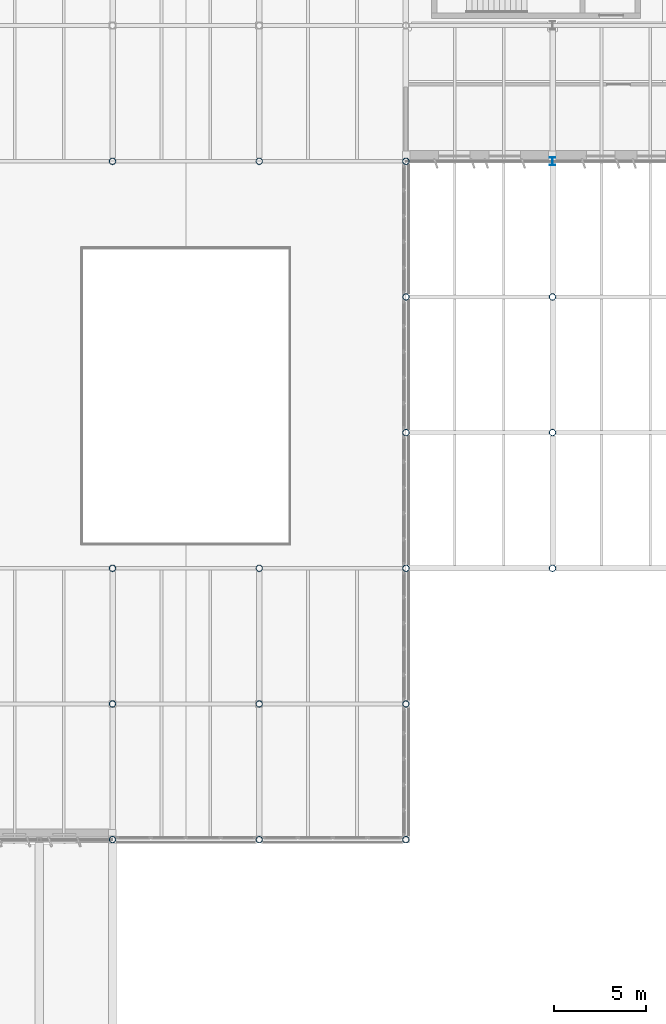
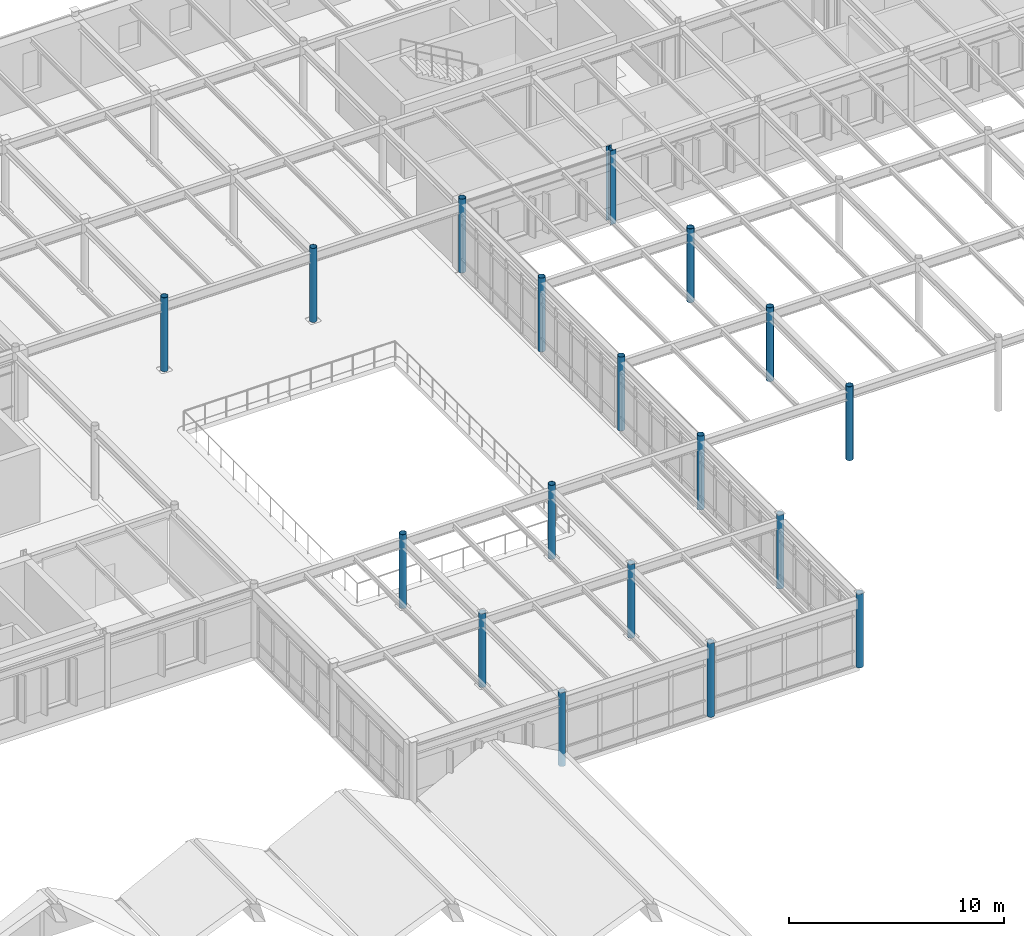
# One storey, part 4 of 63: 18 columns.
"""IFC4 building model written with IfcOpenShell, lengths in metres."""

from ifc_helpers import new_model, si_unit, direction, frame, origin, origin_2d, place, context, subcontext, project, spatial, hollow_circle, i_section, extrude, material, material_profile, profile_set, type_object, element, save


model = new_model("IFC4")

# Units and contexts
model_context = context("Model", 3, precision=1e-05, world=origin(), true_north=direction((0.0, 1.0)))
body_context = subcontext(model_context, "Body", "Model", "MODEL_VIEW")
ifc_project = project(units=[si_unit("LENGTHUNIT", "METRE"), si_unit("AREAUNIT", "SQUARE_METRE"), si_unit("VOLUMEUNIT", "CUBIC_METRE"), si_unit("PLANEANGLEUNIT", "RADIAN"), si_unit("MASSUNIT", "GRAM", prefix="KILO")], contexts=[model_context])

# Site, building, storey
site_placement = place(None, origin())
site = spatial("IfcSite", under=ifc_project, at=site_placement, CompositionType="ELEMENT")
building_placement = place(site_placement, origin())
building = spatial("IfcBuilding", under=site, at=building_placement, Name="Valkorina Park Police Headquarters", CompositionType="ELEMENT")
storey_placement = place(building_placement, frame((0.0, 0.0, 9.89990234375)))
storey = spatial("IfcBuildingStorey", under=building, at=storey_placement, Name="L03", CompositionType="ELEMENT", Elevation=9.89990234375)

# Columns
ifc_material = material(Name="Steel S355", Category="steel")
ifc_material_profile_1 = material_profile(ifc_material, hollow_circle(Radius=0.177734375, WallThickness=0.01611328125, at=origin_2d()), Name="CHS 355.6x16")
ifc_profile_set_1 = profile_set([ifc_material_profile_1], Name="Steel S355")
column_type_1 = type_object("IfcColumnType", Name="COL-S355-CHS355-EXT", PredefinedType="COLUMN", material=ifc_profile_set_1)
for number, where, z_axis, x_axis, name in (
    (1, (64.800048828125, 22.199951171875, 0.0), (0.0, 0.0, 1.0), (1.0, 0.0, 0.0), "L03 Column 0758"),
    (2, (72.800048828125, 22.199951171875, 0.0), (0.0, 0.0, 1.0), (1.0, 0.0, 0.0), "L03 Column 0765"),
    (3, (80.800048828125, 22.199951171875, 0.0), (0.0, 0.0, 1.0), (1.0, 0.0, 0.0), "L03 Column 0772"),
    (4, (80.800048828125, 29.60009765625, 0.0), (0.0, 0.0, 1.0), (1.0, 0.0, 0.0), "L03 Column 0773"),
    (5, (80.800048828125, 37.0, 0.0), (0.0, 0.0, 1.0), (1.0, 0.0, 0.0), "L03 Column 0774"),
    (6, (80.800048828125, 44.39990234375, 0.0), (0.0, 0.0, 1.0), (1.0, 0.0, 0.0), "L03 Column 0775"),
    (7, (80.800048828125, 51.800048828125, 0.0), (0.0, 0.0, 1.0), (1.0, 0.0, 0.0), "L03 Column 0776"),
    (8, (80.800048828125, 59.199951171875, 0.0), (0.0, 0.0, 1.0), (1.0, 0.0, 0.0), "L03 Column 0777"),
    (9, (88.800048828125, 37.0, 0.0), (0.0, 0.0, 1.0), (1.0, 0.0, 0.0), "L03 Column 0781"),
    (10, (88.800048828125, 44.39990234375, 0.0), (0.0, 0.0, 1.0), (1.0, 0.0, 0.0), "L03 Column 0782"),
    (11, (88.800048828125, 51.800048828125, 0.0), (0.0, 0.0, 1.0), (1.0, 0.0, 0.0), "L03 Column 0783"),
):
    element("IfcColumn", number, at=place(storey_placement, frame(where, z_axis=z_axis, x_axis=x_axis)), inside=storey, type_object=column_type_1, Name=name, PredefinedType="COLUMN", context=body_context, shape_type="SweptSolid", body=[
        extrude(hollow_circle(Radius=0.177734375, WallThickness=0.01611328125, at=origin_2d()), origin(), (0.0, 0.0, 1.0), 4.2001953125),
    ])
ifc_material_profile_2 = material_profile(ifc_material, hollow_circle(Radius=0.177734375, WallThickness=0.01611328125, at=origin_2d()), Name="CHS 355.6x16")
ifc_profile_set_2 = profile_set([ifc_material_profile_2], Name="Steel S355")
column_type_2 = type_object("IfcColumnType", Name="COL-S355-CHS355-INT", PredefinedType="COLUMN", material=ifc_profile_set_2)
for number, where, z_axis, x_axis, name in (
    (12, (64.800048828125, 29.60009765625, 0.0), (0.0, 0.0, 1.0), (1.0, 0.0, 0.0), "L03 Column 0759"),
    (13, (64.800048828125, 37.0, 0.0), (0.0, 0.0, 1.0), (1.0, 0.0, 0.0), "L03 Column 0760"),
    (14, (64.800048828125, 59.199951171875, 0.0), (0.0, 0.0, 1.0), (1.0, 0.0, 0.0), "L03 Column 0761"),
    (15, (72.800048828125, 29.60009765625, 0.0), (0.0, 0.0, 1.0), (1.0, 0.0, 0.0), "L03 Column 0766"),
    (16, (72.800048828125, 37.0, 0.0), (0.0, 0.0, 1.0), (1.0, 0.0, 0.0), "L03 Column 0767"),
    (17, (72.800048828125, 59.199951171875, 0.0), (0.0, 0.0, 1.0), (1.0, 0.0, 0.0), "L03 Column 0768"),
):
    element("IfcColumn", number, at=place(storey_placement, frame(where, z_axis=z_axis, x_axis=x_axis)), inside=storey, type_object=column_type_2, Name=name, PredefinedType="COLUMN", context=body_context, shape_type="SweptSolid", body=[
        extrude(hollow_circle(Radius=0.177734375, WallThickness=0.01611328125, at=origin_2d()), origin(), (0.0, 0.0, 1.0), 4.2001953125),
    ])
ifc_material_profile_3 = material_profile(ifc_material, i_section(OverallWidth=0.300048828125, OverallDepth=0.449951171875, WebThickness=0.013916015625, FlangeThickness=0.02587890625, FilletRadius=0.027099609375, at=origin_2d()), Name="HEB 450")
ifc_profile_set_3 = profile_set([ifc_material_profile_3], Name="Steel S355")
column_type_3 = type_object("IfcColumnType", Name="COL-S355-HEB450-EXT", PredefinedType="COLUMN", material=ifc_profile_set_3)
column_placement = place(storey_placement, frame((88.800048828125, 59.199951171875, 0.0), z_axis=(0.0, 0.0, 1.0), x_axis=(1.0, 0.0, 0.0)))
element("IfcColumn", 18, at=column_placement, inside=storey, type_object=column_type_3, Name="L03 Column 0784", PredefinedType="COLUMN", context=body_context, shape_type="SweptSolid", body=[
    extrude(i_section(OverallWidth=0.300048828125, OverallDepth=0.449951171875, WebThickness=0.013916015625, FlangeThickness=0.02587890625, FilletRadius=0.027099609375, at=origin_2d()), origin(), (0.0, 0.0, 1.0), 4.2001953125),
])

save(model, "model.ifc")
